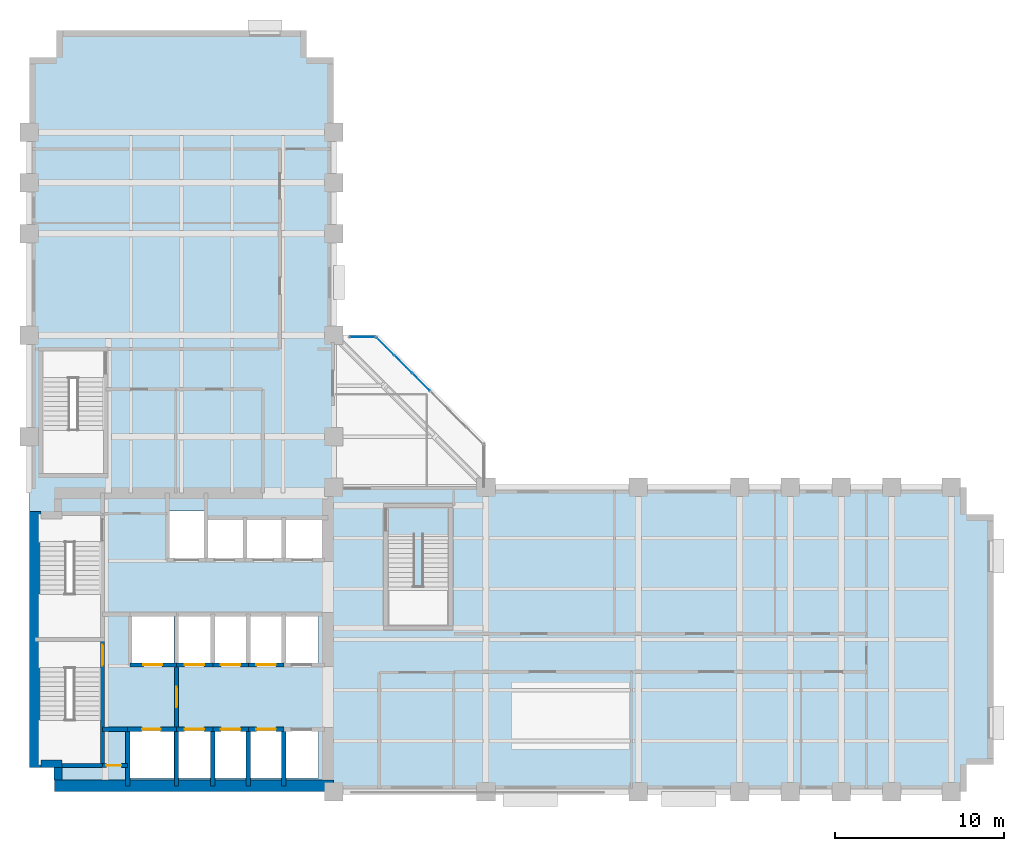
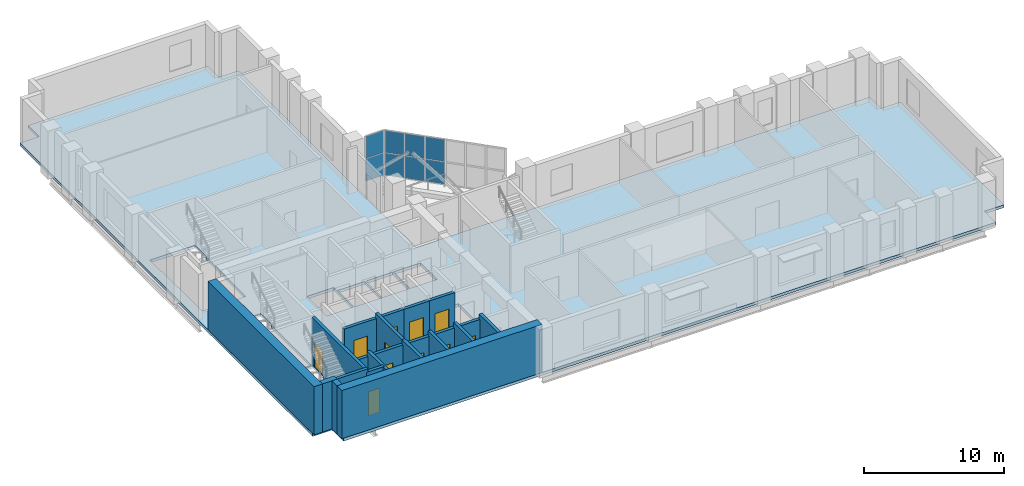
# One storey, part 4 of 10: 22 walls, 11 doors, 8 plates, 1 slab, 11 openings, 2 elements without a shape of their own.
"""IFC4 building model written with IfcOpenShell, lengths in metres."""

import ifcopenshell
import ifcopenshell.guid

model = None  # the IFC model being written
_history = None  # IfcOwnerHistory: only IFC2X3 demands one
_inside = {}  # id of a spatial element -> (the spatial element, [elements in it])
_under = {}  # id of a project, library or spatial element -> (it, [spatial elements below it])
_declared = {}  # id of a project -> (the project, [libraries it declares])
_typed = {}  # id of a type object -> (the type object, [elements of that type])
_made_of = {}  # id of a material, layer set ... -> (it, [elements and type objects made of it])


def new_model(schema):
    """Start an empty IFC model of exactly this schema.

    Asked for "IFC4X3", IfcOpenShell would pick the latest addendum, in which some entities
    have other attributes; the version numbers below select the first issue.
    IFC2X3 requires an IfcOwnerHistory on every rooted entity: one is made here for all.
    """
    global model, _history
    if schema == "IFC4X3":
        model = ifcopenshell.file(schema_version=(4, 3, 0, 0))
    else:
        model = ifcopenshell.file(schema=schema)
    _inside.clear()
    _under.clear()
    _declared.clear()
    _typed.clear()
    _made_of.clear()
    _history = None
    if model.schema == "IFC2X3":
        org = make("IfcOrganization", Name="unknown")
        user = make(
            "IfcPersonAndOrganization",
            ThePerson=make("IfcPerson", FamilyName="unknown"),
            TheOrganization=org,
        )
        app = make(
            "IfcApplication",
            ApplicationDeveloper=org,
            Version="unknown",
            ApplicationFullName="unknown",
            ApplicationIdentifier="unknown",
        )
        _history = make(
            "IfcOwnerHistory",
            OwningUser=user,
            OwningApplication=app,
            ChangeAction="ADDED",
            CreationDate=0,
        )
    return model


def make(cls, **values):
    """One entity of the class cls with the attributes given. An attribute that is None is left unset."""
    return model.create_entity(
        cls, **{name: value for name, value in values.items() if value is not None}
    )


def rooted(cls, **values):
    """An entity with a GlobalId (a new one), such as an element, a storey or a relation."""
    return make(cls, GlobalId=ifcopenshell.guid.new(), OwnerHistory=_history, **values)


def si_unit(unit_type, name, prefix=None):
    """IfcSIUnit, for example si_unit("LENGTHUNIT", "METRE", prefix="MILLI")."""
    return make("IfcSIUnit", UnitType=unit_type, Prefix=prefix, Name=name)


def assignment(units):
    """IfcUnitAssignment: the units of a project."""
    return None if units is None else make("IfcUnitAssignment", Units=units)


def point(xyz):
    """IfcCartesianPoint."""
    return None if xyz is None else make("IfcCartesianPoint", Coordinates=xyz)


def direction(xyz):
    """IfcDirection."""
    return None if xyz is None else make("IfcDirection", DirectionRatios=xyz)


def frame(location, z_axis=None, x_axis=None):
    """IfcAxis2Placement3D, a coordinate frame: its origin and axes. An axis left out is left unset."""
    return make(
        "IfcAxis2Placement3D",
        Location=point(location),
        Axis=direction(z_axis),
        RefDirection=direction(x_axis),
    )


def frame_2d(location, x_axis=None):
    """IfcAxis2Placement2D, a coordinate frame in the plane: its origin and x axis."""
    return make(
        "IfcAxis2Placement2D", Location=point(location), RefDirection=direction(x_axis)
    )


def origin():
    """The frame at (0, 0, 0) with its axes left unset."""
    return frame((0.0, 0.0, 0.0))


def origin_2d():
    """The frame at (0, 0) in the plane with its x axis left unset."""
    return frame_2d((0.0, 0.0))


def place(relative_to, where):
    """IfcLocalPlacement: puts the frame where relative to a parent placement (None: the world)."""
    return make(
        "IfcLocalPlacement", PlacementRelTo=relative_to, RelativePlacement=where
    )


def context(
    kind, dimensions, precision=None, world=None, true_north=None, identifier=None
):
    """IfcGeometricRepresentationContext, for example the 3D "Model" context."""
    return make(
        "IfcGeometricRepresentationContext",
        ContextIdentifier=identifier,
        ContextType=kind,
        CoordinateSpaceDimension=dimensions,
        Precision=precision,
        WorldCoordinateSystem=world,
        TrueNorth=true_north,
    )


def subcontext(parent, identifier, kind, view, scale=None):
    """IfcGeometricRepresentationSubContext, for example "Body" below "Model"."""
    return make(
        "IfcGeometricRepresentationSubContext",
        ContextIdentifier=identifier,
        ContextType=kind,
        ParentContext=parent,
        TargetScale=scale,
        TargetView=view,
    )


def project(units=None, contexts=None):
    """IfcProject with its units and contexts."""
    return rooted(
        "IfcProject",
        Name="project",
        RepresentationContexts=contexts,
        UnitsInContext=assignment(units),
    )


def spatial(cls, under=None, at=None, **own):
    """A site, building, storey or space (cls), placed at a placement, below another one or the project."""
    s = rooted(cls, ObjectPlacement=at, **own)
    if under is not None:
        _under.setdefault(under.id(), (under, []))[1].append(s)
    return s


def polyline(points):
    """IfcPolyline through the points."""
    return make("IfcPolyline", Points=[point(p) for p in points])


def profile(cls, at=None, kind="AREA", **sizes):
    """A parametric profile (cls). Its sizes go by their IFC names, for example OverallWidth=200.0."""
    return make(cls, ProfileType=kind, Position=at, **sizes)


def rectangle(**sizes):
    """IfcRectangleProfileDef."""
    return profile("IfcRectangleProfileDef", **sizes)


def outline(outer, holes=None, kind="AREA"):
    """IfcArbitraryClosedProfileDef: a profile drawn as a closed curve; with holes, ...WithVoids."""
    if holes is None:
        return make("IfcArbitraryClosedProfileDef", ProfileType=kind, OuterCurve=outer)
    return make(
        "IfcArbitraryProfileDefWithVoids",
        ProfileType=kind,
        OuterCurve=outer,
        InnerCurves=holes,
    )


def extrude(swept, where, along, depth):
    """IfcExtrudedAreaSolid: the profile swept, set in the frame where, extruded along a direction by depth."""
    return make(
        "IfcExtrudedAreaSolid",
        SweptArea=swept,
        Position=where,
        ExtrudedDirection=direction(along),
        Depth=depth,
    )


def shape(context_of_items, identifier, shape_type, items):
    """IfcShapeRepresentation: the items that make up one representation, for example the "Body"."""
    return make(
        "IfcShapeRepresentation",
        ContextOfItems=context_of_items,
        RepresentationIdentifier=identifier,
        RepresentationType=shape_type,
        Items=items,
    )


def material(Name=None, Category=None):
    """IfcMaterial."""
    return make("IfcMaterial", Name=Name, Category=Category)


def layer(
    of_material, thickness, ventilated=None, Name=None, Category=None, Priority=None
):
    """IfcMaterialLayer: one layer of a wall or slab, of a material (None: an air gap)."""
    return make(
        "IfcMaterialLayer",
        Material=of_material,
        LayerThickness=thickness,
        IsVentilated=ventilated,
        Name=Name,
        Category=Category,
        Priority=Priority,
    )


def layer_set(layers, Name=None):
    """IfcMaterialLayerSet."""
    return make("IfcMaterialLayerSet", MaterialLayers=layers, LayerSetName=Name)


def made_of(thing, what):
    """Note that an element or type object is made of a material, layer set ...; save() writes the relation."""
    if what is not None:
        _made_of.setdefault(what.id(), (what, []))[1].append(thing)
    return thing


def type_object(cls, material=None, **own):
    """A type object (cls), such as IfcWallType, which elements share."""
    return made_of(rooted(cls, **own), material)


def element(
    cls,
    number,
    at=None,
    inside=None,
    cuts=None,
    type_object=None,
    material=None,
    context=None,
    identifier="Body",
    shape_type=None,
    held_by="IfcProductDefinitionShape",
    body=None,
    shapes=None,
    **own,
):
    """One element of the class cls, such as IfcWall. Its Tag is "e" and its number.

    at: its placement. inside: the storey or other place that contains it. cuts: it is an
    opening in that element (IfcRelVoidsElement). A single representation is given by context,
    identifier, shape_type and body (its items); several are given by shapes. held_by: the class
    of the entity that holds the representations. save() writes the other relations.
    """
    e = rooted(cls, Tag="e%d" % number, ObjectPlacement=at, **own)
    if body is not None:
        shapes = [shape(context, identifier, shape_type, body)]
    if shapes is not None:
        e.Representation = make(held_by, Representations=shapes)
    if inside is not None:
        _inside.setdefault(inside.id(), (inside, []))[1].append(e)
    if cuts is not None:
        rooted(
            "IfcRelVoidsElement", RelatingBuildingElement=cuts, RelatedOpeningElement=e
        )
    if type_object is not None:
        _typed.setdefault(type_object.id(), (type_object, []))[1].append(e)
    return made_of(e, material)


def fill(opening, filler):
    """IfcRelFillsElement: the door or window that sits in an opening."""
    return rooted(
        "IfcRelFillsElement",
        RelatingOpeningElement=opening,
        RelatedBuildingElement=filler,
    )


def aggregate(whole, parts):
    """IfcRelAggregates: a whole, such as a stair, and the parts it consists of."""
    return rooted("IfcRelAggregates", RelatingObject=whole, RelatedObjects=parts)


def save(model, path):
    """Write the relations noted so far, then the file.

    IfcRelAggregates (storeys below a building ...), IfcRelContainedInSpatialStructure (elements
    in a storey), IfcRelDefinesByType, IfcRelAssociatesMaterial and IfcRelDeclares: one each for
    every whole, place, type object, material and project.
    """
    for whole, parts in _under.values():
        aggregate(whole, parts)
    for where, things in _inside.values():
        rooted(
            "IfcRelContainedInSpatialStructure",
            RelatedElements=things,
            RelatingStructure=where,
        )
    for kind, things in _typed.values():
        rooted("IfcRelDefinesByType", RelatedObjects=things, RelatingType=kind)
    for what, things in _made_of.values():
        rooted("IfcRelAssociatesMaterial", RelatedObjects=things, RelatingMaterial=what)
    for by, libraries in _declared.values():
        rooted("IfcRelDeclares", RelatingContext=by, RelatedDefinitions=libraries)
    model.write(path)


model = new_model("IFC4")

# Units and contexts
model_context = context("Model", 3, precision=1e-05, world=origin(), true_north=direction((0.0, 1.0)))
body_context = subcontext(model_context, "Body", "Model", "MODEL_VIEW")
ifc_project = project(units=[si_unit("LENGTHUNIT", "METRE"), si_unit("AREAUNIT", "SQUARE_METRE"), si_unit("VOLUMEUNIT", "CUBIC_METRE"), si_unit("PLANEANGLEUNIT", "RADIAN"), si_unit("MASSUNIT", "GRAM", prefix="KILO")], contexts=[model_context])

# Site, building, storey
site_placement = place(None, origin())
site = spatial("IfcSite", under=ifc_project, at=site_placement, CompositionType="ELEMENT")
building_placement = place(site_placement, origin())
building = spatial("IfcBuilding", under=site, at=building_placement, Name="Mawjdan Bourse Tower", CompositionType="ELEMENT")
storey_placement = place(building_placement, frame((0.0, 0.0, 89.10009765625)))
storey = spatial("IfcBuildingStorey", under=building, at=storey_placement, Name="L20", CompositionType="ELEMENT", Elevation=89.10009765625)

# Curtain wall, plates
ifc_material_1 = material(Name="Thermally Broken Aluminium and Solar Glass", Category="aluminium")
ifc_layer_1 = layer(ifc_material_1, 0.219970703125)
ifc_layer_set_1 = layer_set([ifc_layer_1], Name="Thermally Broken Aluminium and Solar Glass")
curtain_wall_type = type_object("IfcCurtainWallType", Name="CW-BRG", PredefinedType="USERDEFINED", material=ifc_layer_set_1)
curtain_wall_1_placement = place(storey_placement, origin())
curtain_wall_1 = element("IfcCurtainWall", 1, at=curtain_wall_1_placement, inside=storey, type_object=curtain_wall_type, Name="L20 Atrium Sky Bridge Diagonal Curtain Wall", ObjectType="SKY BRIDGE CURTAIN WALL", PredefinedType="USERDEFINED")
ifc_material_2 = material(Name="Acoustic Laminated Sky-Bridge Glass", Category="glass")
ifc_layer_2 = layer(ifc_material_2, 0.033935546875)
ifc_layer_set_2 = layer_set([ifc_layer_2], Name="Acoustic Laminated Sky-Bridge Glass")
plate_type = type_object("IfcPlateType", Name="PNL-CW-BRG", PredefinedType="CURTAIN_PANEL", material=ifc_layer_set_2)
plate_1_placement = place(storey_placement, frame((29.158447265625, 27.2216796875, 0.054931640625), z_axis=(0.0, 0.0, 1.0), x_axis=(-0.707106781187, 0.707106781187, 0.0)))
plate_1 = element("IfcPlate", 2, at=plate_1_placement, type_object=plate_type, Name="CW-BRG-L20-BRG-DIAG panel 4.1", PredefinedType="CURTAIN_PANEL", context=body_context, shape_type="SweptSolid", body=[
    extrude(rectangle(XDim=1.438720703125, YDim=0.033935546875, at=origin_2d()), origin(), (0.0, 0.0, 1.0), 1.91748046875),
])
plate_2_placement = place(storey_placement, frame((29.158447265625, 27.2216796875, 2.02734375), z_axis=(0.0, 0.0, 1.0), x_axis=(-0.707106781187, 0.707106781187, 0.0)))
plate_2 = element("IfcPlate", 3, at=plate_2_placement, type_object=plate_type, Name="CW-BRG-L20-BRG-DIAG panel 4.2", PredefinedType="CURTAIN_PANEL", context=body_context, shape_type="SweptSolid", body=[
    extrude(rectangle(XDim=1.438720703125, YDim=0.033935546875, at=origin_2d()), origin(), (0.0, 0.0, 1.0), 1.91748046875),
])
plate_3_placement = place(storey_placement, frame((28.094970703125, 28.284912109375, 0.054931640625), z_axis=(0.0, 0.0, 1.0), x_axis=(-0.707106781187, 0.707106781187, 0.0)))
plate_3 = element("IfcPlate", 4, at=plate_3_placement, type_object=plate_type, Name="CW-BRG-L20-BRG-DIAG panel 5.1", PredefinedType="CURTAIN_PANEL", context=body_context, shape_type="SweptSolid", body=[
    extrude(rectangle(XDim=1.438720703125, YDim=0.033935546875, at=origin_2d()), origin(), (0.0, 0.0, 1.0), 1.91748046875),
])
plate_4_placement = place(storey_placement, frame((28.094970703125, 28.284912109375, 2.02734375), z_axis=(0.0, 0.0, 1.0), x_axis=(-0.707106781187, 0.707106781187, 0.0)))
plate_4 = element("IfcPlate", 5, at=plate_4_placement, type_object=plate_type, Name="CW-BRG-L20-BRG-DIAG panel 5.2", PredefinedType="CURTAIN_PANEL", context=body_context, shape_type="SweptSolid", body=[
    extrude(rectangle(XDim=1.438720703125, YDim=0.033935546875, at=origin_2d()), origin(), (0.0, 0.0, 1.0), 1.91748046875),
])
plate_5_placement = place(storey_placement, frame((27.043212890625, 29.3369140625, 0.054931640625), z_axis=(0.0, 0.0, 1.0), x_axis=(-0.707106781187, 0.707106781187, 0.0)))
plate_5 = element("IfcPlate", 6, at=plate_5_placement, type_object=plate_type, Name="CW-BRG-L20-BRG-DIAG panel 6.1", PredefinedType="CURTAIN_PANEL", context=body_context, shape_type="SweptSolid", body=[
    extrude(rectangle(XDim=1.40625, YDim=0.033935546875, at=origin_2d()), origin(), (0.0, 0.0, 1.0), 1.91748046875),
])
plate_6_placement = place(storey_placement, frame((27.043212890625, 29.3369140625, 2.02734375), z_axis=(0.0, 0.0, 1.0), x_axis=(-0.707106781187, 0.707106781187, 0.0)))
plate_6 = element("IfcPlate", 7, at=plate_6_placement, type_object=plate_type, Name="CW-BRG-L20-BRG-DIAG panel 6.2", PredefinedType="CURTAIN_PANEL", context=body_context, shape_type="SweptSolid", body=[
    extrude(rectangle(XDim=1.40625, YDim=0.033935546875, at=origin_2d()), origin(), (0.0, 0.0, 1.0), 1.91748046875),
])
aggregate(curtain_wall_1, [plate_1, plate_2, plate_3, plate_4, plate_5, plate_6])

curtain_wall_2_placement = place(storey_placement, origin())
curtain_wall_2 = element("IfcCurtainWall", 8, at=curtain_wall_2_placement, inside=storey, type_object=curtain_wall_type, Name="L20 Atrium Sky Bridge North Return Curtain Wall", ObjectType="SKY BRIDGE CURTAIN WALL", PredefinedType="USERDEFINED")
plate_7_placement = place(storey_placement, frame((25.699951171875, 29.8798828125, 0.054931640625), z_axis=(0.0, 0.0, 1.0), x_axis=(-1.0, 0.0, 0.0)))
plate_7 = element("IfcPlate", 9, at=plate_7_placement, type_object=plate_type, Name="CW-BRG-L20-BRG-N panel 1.1", PredefinedType="CURTAIN_PANEL", context=body_context, shape_type="SweptSolid", body=[
    extrude(rectangle(XDim=1.469970703125, YDim=0.033935546875, at=origin_2d()), origin(), (0.0, 0.0, 1.0), 1.91748046875),
])
plate_8_placement = place(storey_placement, frame((25.699951171875, 29.8798828125, 2.02734375), z_axis=(0.0, 0.0, 1.0), x_axis=(-1.0, 0.0, 0.0)))
plate_8 = element("IfcPlate", 10, at=plate_8_placement, type_object=plate_type, Name="CW-BRG-L20-BRG-N panel 1.2", PredefinedType="CURTAIN_PANEL", context=body_context, shape_type="SweptSolid", body=[
    extrude(rectangle(XDim=1.469970703125, YDim=0.033935546875, at=origin_2d()), origin(), (0.0, 0.0, 1.0), 1.91748046875),
])
aggregate(curtain_wall_2, [plate_7, plate_8])

# Slab
ifc_material_3 = material(Name="Concrete C50/60", Category="concrete")
ifc_layer_3 = layer(ifc_material_3, 0.25)
ifc_layer_set_3 = layer_set([ifc_layer_3], Name="Concrete C50/60")
slab_type = type_object("IfcSlabType", Name="SL-SKY-250", PredefinedType="FLOOR", material=ifc_layer_set_3)
slab_placement = place(storey_placement, frame((0.0, 0.0, -0.25)))
element("IfcSlab", 11, at=slab_placement, inside=storey, type_object=slab_type, Name="L20 Structural Floor Slab 1", PredefinedType="FLOOR", context=body_context, shape_type="SweptSolid", body=[
    extrude(outline(polyline([(7.60009765625, 3.0), (61.39990234375, 3.0), (61.39990234375, 4.60009765625), (63.0, 4.60009765625), (63.0, 19.39990234375), (61.39990234375, 19.39990234375), (61.39990234375, 21.0), (24.0, 21.0), (24.0, 46.39990234375), (22.39990234375, 46.39990234375), (22.39990234375, 48.0), (7.60009765625, 48.0), (7.60009765625, 46.39990234375), (6.0, 46.39990234375), (6.0, 4.60009765625), (7.60009765625, 4.60009765625), (7.60009765625, 3.0)]), holes=[polyline([(11.949951171875, 3.800048828125), (11.949951171875, 6.60009765625), (14.550048828125, 6.60009765625), (14.550048828125, 3.800048828125), (11.949951171875, 3.800048828125)]), polyline([(14.800048828125, 3.800048828125), (14.800048828125, 6.60009765625), (16.800048828125, 6.60009765625), (16.800048828125, 3.800048828125), (14.800048828125, 3.800048828125)]), polyline([(10.260009765625, 11.969970703125), (10.260009765625, 10.31005859375), (10.199951171875, 10.31005859375), (10.199951171875, 4.64990234375), (6.60009765625, 4.64990234375), (6.60009765625, 10.31005859375), (6.5400390625, 10.31005859375), (6.5400390625, 11.969970703125), (10.260009765625, 11.969970703125)]), polyline([(12.050048828125, 13.39990234375), (14.550048828125, 13.39990234375), (14.550048828125, 10.60009765625), (12.050048828125, 10.60009765625), (12.050048828125, 13.39990234375)]), polyline([(6.60009765625, 17.75), (6.5400390625, 17.75), (6.5400390625, 19.409912109375), (10.260009765625, 19.409912109375), (10.260009765625, 17.75), (10.199951171875, 17.75), (10.199951171875, 12.090087890625), (6.60009765625, 12.090087890625), (6.60009765625, 17.75)]), polyline([(14.199951171875, 16.800048828125), (14.199951171875, 19.60009765625), (16.39990234375, 19.60009765625), (16.39990234375, 16.800048828125), (14.199951171875, 16.800048828125)]), polyline([(10.4599609375, 27.4599609375), (10.39990234375, 27.4599609375), (10.39990234375, 21.800048828125), (6.800048828125, 21.800048828125), (6.800048828125, 27.4599609375), (6.739990234375, 27.4599609375), (6.739990234375, 29.1201171875), (10.4599609375, 29.1201171875), (10.4599609375, 27.4599609375)]), polyline([(16.89990234375, 3.800048828125), (16.89990234375, 6.60009765625), (18.89990234375, 6.60009765625), (18.89990234375, 3.800048828125), (16.89990234375, 3.800048828125)]), polyline([(19.0, 3.800048828125), (19.0, 6.60009765625), (21.0, 6.60009765625), (21.0, 3.800048828125), (19.0, 3.800048828125)]), polyline([(21.10009765625, 3.800048828125), (21.10009765625, 6.60009765625), (23.10009765625, 6.60009765625), (23.10009765625, 3.800048828125), (21.10009765625, 3.800048828125)]), polyline([(14.800048828125, 13.39990234375), (16.800048828125, 13.39990234375), (16.800048828125, 10.60009765625), (14.800048828125, 10.60009765625), (14.800048828125, 13.39990234375)]), polyline([(16.89990234375, 13.39990234375), (18.89990234375, 13.39990234375), (18.89990234375, 10.60009765625), (16.89990234375, 10.60009765625), (16.89990234375, 13.39990234375)]), polyline([(19.0, 10.60009765625), (19.0, 13.39990234375), (21.0, 13.39990234375), (21.0, 10.60009765625), (19.0, 10.60009765625)]), polyline([(21.10009765625, 10.60009765625), (21.10009765625, 13.39990234375), (23.10009765625, 13.39990234375), (23.10009765625, 10.60009765625), (21.10009765625, 10.60009765625)]), polyline([(16.5, 16.800048828125), (16.5, 19.14990234375), (18.699951171875, 19.14990234375), (18.699951171875, 16.800048828125), (16.5, 16.800048828125)]), polyline([(18.800048828125, 19.14990234375), (21.0, 19.14990234375), (21.0, 16.800048828125), (18.800048828125, 16.800048828125), (18.800048828125, 19.14990234375)]), polyline([(21.10009765625, 19.14990234375), (23.300048828125, 19.14990234375), (23.300048828125, 16.800048828125), (21.10009765625, 16.800048828125), (21.10009765625, 19.14990234375)])]), origin(), (0.0, 0.0, 1.0), 0.25),
])

# Walls
ifc_material_4 = material(Name="Concrete C60/75", Category="concrete")
ifc_layer_4 = layer(ifc_material_4, 0.449951171875)
ifc_layer_set_4 = layer_set([ifc_layer_4], Name="Concrete C60/75")
wall_type_1 = type_object("IfcWallType", Name="WL-CORE-450", PredefinedType="SHEAR", material=ifc_layer_set_4)
wall_1_placement = place(storey_placement, frame((6.699951171875, 4.64990234375, 0.0), z_axis=(0.0, 0.0, 1.0), x_axis=(1.0, 0.0, 0.0)))
element("IfcWall", 12, at=wall_1_placement, inside=storey, type_object=wall_type_1, Name="L20 Rear Core Shear Wall SW-X", PredefinedType="SHEAR", context=body_context, shape_type="SweptSolid", body=[
    extrude(rectangle(XDim=1.22509765625, YDim=0.449951171875, at=frame_2d((0.612548828125, 0.0))), origin(), (0.0, 0.0, 1.0), 4.199951171875),
])
wall_2_placement = place(storey_placement, frame((7.699951171875, 3.699951171875, 0.0), z_axis=(0.0, 0.0, 1.0), x_axis=(0.0, 1.0, 0.0)))
element("IfcWall", 13, at=wall_2_placement, inside=storey, type_object=wall_type_1, Name="L20 Rear Core Shear Wall SW-Y", PredefinedType="SHEAR", context=body_context, shape_type="SweptSolid", body=[
    extrude(rectangle(XDim=0.72509765625, YDim=0.449951171875, at=frame_2d((0.362548828125, 0.0))), origin(), (0.0, 0.0, 1.0), 4.199951171875),
])
ifc_material_5 = material(Name="Concrete C70/85", Category="concrete")
ifc_layer_5 = layer(ifc_material_5, 0.699951171875)
ifc_layer_set_5 = layer_set([ifc_layer_5], Name="Concrete C70/85")
wall_type_2 = type_object("IfcWallType", Name="WL-CORE-700", PredefinedType="SHEAR", material=ifc_layer_set_5)
wall_3_placement = place(storey_placement, frame((7.47509765625, 3.35009765625, 0.0), z_axis=(0.0, 0.0, 1.0), x_axis=(1.0, 0.0, 0.0)))
element("IfcWall", 14, at=wall_3_placement, inside=storey, type_object=wall_type_2, Name="L20 Rear Core Shear Wall S", PredefinedType="SHEAR", context=body_context, shape_type="SweptSolid", body=[
    extrude(rectangle(XDim=16.52490234375, YDim=0.699951171875, at=frame_2d((8.262451171875, 0.0))), origin(), (0.0, 0.0, 1.0), 4.199951171875),
])
wall_4_placement = place(storey_placement, frame((6.35009765625, 4.425048828125, 0.0), z_axis=(0.0, 0.0, 1.0), x_axis=(0.0, 1.0, 0.0)))
element("IfcWall", 15, at=wall_4_placement, inside=storey, type_object=wall_type_2, Name="L20 Rear Core Shear Wall W", PredefinedType="SHEAR", context=body_context, shape_type="SweptSolid", body=[
    extrude(rectangle(XDim=15.14990234375, YDim=0.699951171875, at=frame_2d((7.574951171875, 0.0))), origin(), (0.0, 0.0, 1.0), 4.199951171875),
])

# Wall, opening, door
ifc_layer_6 = layer(ifc_material_3, 0.25)
ifc_layer_set_6 = layer_set([ifc_layer_6], Name="Concrete C50/60")
wall_type_3 = type_object("IfcWallType", Name="WL-SHFT-250", PredefinedType="PARTITIONING", material=ifc_layer_set_6)
wall_5_placement = place(storey_placement, frame((10.330078125, 4.550048828125, 0.0), z_axis=(0.0, 0.0, 1.0), x_axis=(1.0, 0.0, 0.0)))
wall_5 = element("IfcWall", 16, at=wall_5_placement, inside=storey, type_object=wall_type_3, Name="L20 SW Riser North Wall", PredefinedType="PARTITIONING", context=body_context, shape_type="SweptSolid", body=[
    extrude(rectangle(XDim=1.489990234375, YDim=0.25, at=frame_2d((0.7451171875, 0.0))), origin(), (0.0, 0.0, 1.0), 3.929931640625),
])
opening_1_placement = place(wall_5_placement, frame((0.219970703125, 0.0, 0.0)))
opening_1 = element("IfcOpeningElement", 17, at=opening_1_placement, cuts=wall_5, Name="Opening RD-L20-03", PredefinedType="OPENING", context=body_context, shape_type="SweptSolid", body=[
    extrude(rectangle(XDim=0.89990234375, YDim=2.10009765625, at=frame_2d((0.449951171875, 1.050048828125))), frame((0.0, 0.135009765625, 0.0), z_axis=(0.0, -1.0, 0.0), x_axis=(1.0, 0.0, 0.0)), (0.0, 0.0, 1.0), 0.27001953125),
])
ifc_material_6 = material(Name="Fire-Rated Steel Access Leaf", Category="steel")
door_type_1 = type_object("IfcDoorType", Name="FD-RSR-0900", OperationType="NOTDEFINED", PredefinedType="TRAPDOOR", material=ifc_material_6)
door_1_placement = place(opening_1_placement, origin())
door_1 = element("IfcDoor", 18, at=door_1_placement, inside=storey, type_object=door_type_1, Name="L20 Electrical Riser Access Door RD-L20-03", OperationType="SINGLE_SWING_LEFT", OverallHeight=2.10009765625, OverallWidth=0.89990234375, PredefinedType="TRAPDOOR", context=body_context, shape_type="SweptSolid", body=[
    extrude(rectangle(XDim=0.89990234375, YDim=2.10009765625, at=frame_2d((0.449951171875, 1.050048828125))), frame((0.0, 0.02490234375, 0.0), z_axis=(0.0, -1.0, 0.0), x_axis=(1.0, 0.0, 0.0)), (0.0, 0.0, 1.0), 0.050048828125),
])
fill(opening_1, door_1)

# Wall
wall_6_placement = place(storey_placement, frame((11.820068359375, 3.35009765625, 0.0), z_axis=(0.0, 0.0, 1.0), x_axis=(0.0, 1.0, 0.0)))
element("IfcWall", 19, at=wall_6_placement, inside=storey, type_object=wall_type_3, Name="L20 SW Riser & FFL01 West Wall", PredefinedType="PARTITIONING", context=body_context, shape_type="SweptSolid", body=[
    extrude(rectangle(XDim=3.349853515625, YDim=0.25, at=frame_2d((1.6748046875, 0.0))), origin(), (0.0, 0.0, 1.0), 3.929931640625),
])

# Wall, opening, door
wall_7_placement = place(storey_placement, frame((11.820068359375, 6.699951171875, 0.0), z_axis=(0.0, 0.0, 1.0), x_axis=(1.0, 0.0, 0.0)))
wall_7 = element("IfcWall", 20, at=wall_7_placement, inside=storey, type_object=wall_type_3, Name="L20 FFL-01 Front Shaft Wall", PredefinedType="PARTITIONING", context=body_context, shape_type="SweptSolid", body=[
    extrude(rectangle(XDim=2.8798828125, YDim=0.25, at=frame_2d((1.43994140625, 0.0))), origin(), (0.0, 0.0, 1.0), 3.52685546875),
])
opening_2_placement = place(wall_7_placement, frame((0.85009765625, 0.0, 0.0)))
opening_2 = element("IfcOpeningElement", 21, at=opening_2_placement, cuts=wall_7, Name="Opening LD-L20-05", PredefinedType="OPENING", context=body_context, shape_type="SweptSolid", body=[
    extrude(rectangle(XDim=1.10009765625, YDim=2.25, at=frame_2d((0.550048828125, 1.125))), frame((0.0, 0.135009765625, 0.0), z_axis=(0.0, -1.0, 0.0), x_axis=(1.0, 0.0, 0.0)), (0.0, 0.0, 1.0), 0.27001953125),
])
ifc_material_7 = material(Name="Brushed Stainless Steel", Category="steel")
door_type_2 = type_object("IfcDoorType", Name="LD-FFL-1100", OperationType="DOUBLE_DOOR_SLIDING", PredefinedType="DOOR", material=ifc_material_7)
door_2_placement = place(opening_2_placement, origin())
door_2 = element("IfcDoor", 22, at=door_2_placement, inside=storey, type_object=door_type_2, Name="L20 Firefighting Lift FFL-01 Landing Door LD-L20-05", OperationType="DOUBLE_DOOR_SLIDING", OverallHeight=2.25, OverallWidth=1.10009765625, PredefinedType="DOOR", context=body_context, shape_type="SweptSolid", body=[
    extrude(rectangle(XDim=1.10009765625, YDim=2.25, at=frame_2d((0.550048828125, 1.125))), frame((0.0, 0.02490234375, 0.0), z_axis=(0.0, -1.0, 0.0), x_axis=(1.0, 0.0, 0.0)), (0.0, 0.0, 1.0), 0.050048828125),
])
fill(opening_2, door_2)

# Wall
wall_8_placement = place(storey_placement, frame((14.699951171875, 3.35009765625, 0.0), z_axis=(0.0, 0.0, 1.0), x_axis=(0.0, 1.0, 0.0)))
element("IfcWall", 23, at=wall_8_placement, inside=storey, type_object=wall_type_3, Name="L20 FFL-01 East Shaft Wall", PredefinedType="PARTITIONING", context=body_context, shape_type="SweptSolid", body=[
    extrude(rectangle(XDim=3.349853515625, YDim=0.25, at=frame_2d((1.6748046875, 0.0))), origin(), (0.0, 0.0, 1.0), 3.929931640625),
])

# Wall, opening, door
wall_9_placement = place(storey_placement, frame((11.949951171875, 10.5, 0.0), z_axis=(0.0, 0.0, 1.0), x_axis=(1.0, 0.0, 0.0)))
wall_9 = element("IfcWall", 24, at=wall_9_placement, inside=storey, type_object=wall_type_3, Name="L20 FFL-02 Front Shaft Wall", PredefinedType="PARTITIONING", context=body_context, shape_type="SweptSolid", body=[
    extrude(rectangle(XDim=2.75, YDim=0.25, at=frame_2d((1.375, 0.0))), origin(), (0.0, 0.0, 1.0), 3.52685546875),
])
opening_3_placement = place(wall_9_placement, frame((0.800048828125, 0.0, 0.0)))
opening_3 = element("IfcOpeningElement", 25, at=opening_3_placement, cuts=wall_9, Name="Opening LD-L20-06", PredefinedType="OPENING", context=body_context, shape_type="SweptSolid", body=[
    extrude(rectangle(XDim=1.10009765625, YDim=2.25, at=frame_2d((0.550048828125, 1.125))), frame((0.0, 0.135009765625, 0.0), z_axis=(0.0, -1.0, 0.0), x_axis=(1.0, 0.0, 0.0)), (0.0, 0.0, 1.0), 0.27001953125),
])
door_3_placement = place(opening_3_placement, origin())
door_3 = element("IfcDoor", 26, at=door_3_placement, inside=storey, type_object=door_type_2, Name="L20 Firefighting Lift FFL-02 Landing Door LD-L20-06", OperationType="DOUBLE_DOOR_SLIDING", OverallHeight=2.25, OverallWidth=1.10009765625, PredefinedType="DOOR", context=body_context, shape_type="SweptSolid", body=[
    extrude(rectangle(XDim=1.10009765625, YDim=2.25, at=frame_2d((0.550048828125, 1.125))), frame((0.0, 0.02490234375, 0.0), z_axis=(0.0, -1.0, 0.0), x_axis=(1.0, 0.0, 0.0)), (0.0, 0.0, 1.0), 0.050048828125),
])
fill(opening_3, door_3)

wall_10_placement = place(storey_placement, frame((14.699951171875, 6.699951171875, 0.0), z_axis=(0.0, 0.0, 1.0), x_axis=(0.0, 1.0, 0.0)))
wall_10 = element("IfcWall", 27, at=wall_10_placement, inside=storey, type_object=wall_type_3, Name="L20 Firefighting Lobby East Compartment Wall", PredefinedType="PARTITIONING", context=body_context, shape_type="SweptSolid", body=[
    extrude(rectangle(XDim=3.800048828125, YDim=0.25, at=frame_2d((1.89990234375, 0.0))), origin(), (0.0, 0.0, 1.0), 3.929931640625),
])
opening_4_placement = place(wall_10_placement, frame((1.300048828125, 0.0, 0.0)))
opening_4 = element("IfcOpeningElement", 28, at=opening_4_placement, cuts=wall_10, Name="Opening FD-L20-07", PredefinedType="OPENING", context=body_context, shape_type="SweptSolid", body=[
    extrude(rectangle(XDim=1.199951171875, YDim=2.199951171875, at=frame_2d((0.60009765625, 1.10009765625))), frame((0.0, 0.135009765625, 0.0), z_axis=(0.0, -1.0, 0.0), x_axis=(1.0, 0.0, 0.0)), (0.0, 0.0, 1.0), 0.27001953125),
])
ifc_material_8 = material(Name="Fire-Rated Steel Leaf", Category="steel")
door_type_3 = type_object("IfcDoorType", Name="FD-FFL-1200", OperationType="NOTDEFINED", PredefinedType="DOOR", material=ifc_material_8)
door_4_placement = place(opening_4_placement, origin())
door_4 = element("IfcDoor", 29, at=door_4_placement, inside=storey, type_object=door_type_3, Name="L20 Firefighting Lobby East Smoke Door FD-L20-07", OperationType="SINGLE_SWING_LEFT", OverallHeight=2.199951171875, OverallWidth=1.199951171875, PredefinedType="DOOR", context=body_context, shape_type="SweptSolid", body=[
    extrude(rectangle(XDim=1.199951171875, YDim=2.199951171875, at=frame_2d((0.60009765625, 1.10009765625))), frame((0.0, 0.02490234375, 0.0), z_axis=(0.0, -1.0, 0.0), x_axis=(1.0, 0.0, 0.0)), (0.0, 0.0, 1.0), 0.050048828125),
])
fill(opening_4, door_4)

# Wall
wall_11_placement = place(storey_placement, frame((10.330078125, 6.699951171875, 0.0), z_axis=(0.0, 0.0, 1.0), x_axis=(1.0, 0.0, 0.0)))
element("IfcWall", 30, at=wall_11_placement, inside=storey, type_object=wall_type_3, Name="L20 Firefighting Lobby South Closure Wall", PredefinedType="PARTITIONING", context=body_context, shape_type="SweptSolid", body=[
    extrude(rectangle(XDim=1.489990234375, YDim=0.25, at=frame_2d((0.7451171875, 0.0))), origin(), (0.0, 0.0, 1.0), 3.52685546875),
])

# Wall, opening, door
wall_12_placement = place(storey_placement, frame((14.699951171875, 6.699951171875, 0.0), z_axis=(0.0, 0.0, 1.0), x_axis=(1.0, 0.0, 0.0)))
wall_12 = element("IfcWall", 31, at=wall_12_placement, inside=storey, type_object=wall_type_3, Name="L20 PL-04 Front Wall", PredefinedType="PARTITIONING", context=body_context, shape_type="SweptSolid", body=[
    extrude(rectangle(XDim=2.150146484375, YDim=0.25, at=frame_2d((1.0751953125, 0.0))), origin(), (0.0, 0.0, 1.0), 3.52685546875),
])
opening_5_placement = place(wall_12_placement, frame((0.47998046875, 0.0, 0.0)))
opening_5 = element("IfcOpeningElement", 32, at=opening_5_placement, cuts=wall_12, Name="Opening LD-L20-13", PredefinedType="OPENING", context=body_context, shape_type="SweptSolid", body=[
    extrude(rectangle(XDim=1.14990234375, YDim=2.25, at=frame_2d((0.574951171875, 1.125))), frame((0.0, 0.135009765625, 0.0), z_axis=(0.0, -1.0, 0.0), x_axis=(1.0, 0.0, 0.0)), (0.0, 0.0, 1.0), 0.27001953125),
])
door_type_4 = type_object("IfcDoorType", Name="LD-PAS-1150", OperationType="DOUBLE_DOOR_SLIDING", PredefinedType="DOOR", material=ifc_material_7)
door_5_placement = place(opening_5_placement, origin())
door_5 = element("IfcDoor", 33, at=door_5_placement, inside=storey, type_object=door_type_4, Name="L20 Lift PL-04 Landing Door LD-L20-13", OperationType="DOUBLE_DOOR_SLIDING", OverallHeight=2.25, OverallWidth=1.14990234375, PredefinedType="DOOR", context=body_context, shape_type="SweptSolid", body=[
    extrude(rectangle(XDim=1.14990234375, YDim=2.25, at=frame_2d((0.574951171875, 1.125))), frame((0.0, 0.02490234375, 0.0), z_axis=(0.0, -1.0, 0.0), x_axis=(1.0, 0.0, 0.0)), (0.0, 0.0, 1.0), 0.050048828125),
])
fill(opening_5, door_5)

# Wall
wall_13_placement = place(storey_placement, frame((16.85009765625, 3.35009765625, 0.0), z_axis=(0.0, 0.0, 1.0), x_axis=(0.0, 1.0, 0.0)))
element("IfcWall", 34, at=wall_13_placement, inside=storey, type_object=wall_type_3, Name="L20 PL-04 Divider Wall", PredefinedType="PARTITIONING", context=body_context, shape_type="SweptSolid", body=[
    extrude(rectangle(XDim=3.349853515625, YDim=0.25, at=frame_2d((1.6748046875, 0.0))), origin(), (0.0, 0.0, 1.0), 3.929931640625),
])

# Wall, opening, door
wall_14_placement = place(storey_placement, frame((16.85009765625, 6.699951171875, 0.0), z_axis=(0.0, 0.0, 1.0), x_axis=(1.0, 0.0, 0.0)))
wall_14 = element("IfcWall", 35, at=wall_14_placement, inside=storey, type_object=wall_type_3, Name="L20 PL-01 Front Wall", PredefinedType="PARTITIONING", context=body_context, shape_type="SweptSolid", body=[
    extrude(rectangle(XDim=2.099853515625, YDim=0.25, at=frame_2d((1.0498046875, 0.0))), origin(), (0.0, 0.0, 1.0), 3.52685546875),
])
opening_6_placement = place(wall_14_placement, frame((0.47998046875, 0.0, 0.0)))
opening_6 = element("IfcOpeningElement", 36, at=opening_6_placement, cuts=wall_14, Name="Opening LD-L20-14", PredefinedType="OPENING", context=body_context, shape_type="SweptSolid", body=[
    extrude(rectangle(XDim=1.14990234375, YDim=2.25, at=frame_2d((0.574951171875, 1.125))), frame((0.0, 0.135009765625, 0.0), z_axis=(0.0, -1.0, 0.0), x_axis=(1.0, 0.0, 0.0)), (0.0, 0.0, 1.0), 0.27001953125),
])
door_6_placement = place(opening_6_placement, origin())
door_6 = element("IfcDoor", 37, at=door_6_placement, inside=storey, type_object=door_type_4, Name="L20 Lift PL-01 Landing Door LD-L20-14", OperationType="DOUBLE_DOOR_SLIDING", OverallHeight=2.25, OverallWidth=1.14990234375, PredefinedType="DOOR", context=body_context, shape_type="SweptSolid", body=[
    extrude(rectangle(XDim=1.14990234375, YDim=2.25, at=frame_2d((0.574951171875, 1.125))), frame((0.0, 0.02490234375, 0.0), z_axis=(0.0, -1.0, 0.0), x_axis=(1.0, 0.0, 0.0)), (0.0, 0.0, 1.0), 0.050048828125),
])
fill(opening_6, door_6)

# Wall
wall_15_placement = place(storey_placement, frame((18.949951171875, 3.35009765625, 0.0), z_axis=(0.0, 0.0, 1.0), x_axis=(0.0, 1.0, 0.0)))
element("IfcWall", 38, at=wall_15_placement, inside=storey, type_object=wall_type_3, Name="L20 PL-01 Divider Wall", PredefinedType="PARTITIONING", context=body_context, shape_type="SweptSolid", body=[
    extrude(rectangle(XDim=3.349853515625, YDim=0.25, at=frame_2d((1.6748046875, 0.0))), origin(), (0.0, 0.0, 1.0), 3.929931640625),
])

# Wall, opening, door
wall_16_placement = place(storey_placement, frame((18.949951171875, 6.699951171875, 0.0), z_axis=(0.0, 0.0, 1.0), x_axis=(1.0, 0.0, 0.0)))
wall_16 = element("IfcWall", 39, at=wall_16_placement, inside=storey, type_object=wall_type_3, Name="L20 PL-02 Front Wall", PredefinedType="PARTITIONING", context=body_context, shape_type="SweptSolid", body=[
    extrude(rectangle(XDim=2.10009765625, YDim=0.25, at=frame_2d((1.050048828125, 0.0))), origin(), (0.0, 0.0, 1.0), 3.52685546875),
])
opening_7_placement = place(wall_16_placement, frame((0.47998046875, 0.0, 0.0)))
opening_7 = element("IfcOpeningElement", 40, at=opening_7_placement, cuts=wall_16, Name="Opening LD-L20-15", PredefinedType="OPENING", context=body_context, shape_type="SweptSolid", body=[
    extrude(rectangle(XDim=1.14990234375, YDim=2.25, at=frame_2d((0.574951171875, 1.125))), frame((0.0, 0.135009765625, 0.0), z_axis=(0.0, -1.0, 0.0), x_axis=(1.0, 0.0, 0.0)), (0.0, 0.0, 1.0), 0.27001953125),
])
door_7_placement = place(opening_7_placement, origin())
door_7 = element("IfcDoor", 41, at=door_7_placement, inside=storey, type_object=door_type_4, Name="L20 Lift PL-02 Landing Door LD-L20-15", OperationType="DOUBLE_DOOR_SLIDING", OverallHeight=2.25, OverallWidth=1.14990234375, PredefinedType="DOOR", context=body_context, shape_type="SweptSolid", body=[
    extrude(rectangle(XDim=1.14990234375, YDim=2.25, at=frame_2d((0.574951171875, 1.125))), frame((0.0, 0.02490234375, 0.0), z_axis=(0.0, -1.0, 0.0), x_axis=(1.0, 0.0, 0.0)), (0.0, 0.0, 1.0), 0.050048828125),
])
fill(opening_7, door_7)

# Wall
wall_17_placement = place(storey_placement, frame((21.050048828125, 3.35009765625, 0.0), z_axis=(0.0, 0.0, 1.0), x_axis=(0.0, 1.0, 0.0)))
element("IfcWall", 42, at=wall_17_placement, inside=storey, type_object=wall_type_3, Name="L20 PL-02 Divider Wall", PredefinedType="PARTITIONING", context=body_context, shape_type="SweptSolid", body=[
    extrude(rectangle(XDim=3.349853515625, YDim=0.25, at=frame_2d((1.6748046875, 0.0))), origin(), (0.0, 0.0, 1.0), 3.929931640625),
])

# Wall, opening, door
wall_18_placement = place(storey_placement, frame((14.699951171875, 10.5, 0.0), z_axis=(0.0, 0.0, 1.0), x_axis=(1.0, 0.0, 0.0)))
wall_18 = element("IfcWall", 43, at=wall_18_placement, inside=storey, type_object=wall_type_3, Name="L20 PM-01 Front Wall", PredefinedType="PARTITIONING", context=body_context, shape_type="SweptSolid", body=[
    extrude(rectangle(XDim=2.150146484375, YDim=0.25, at=frame_2d((1.0751953125, 0.0))), origin(), (0.0, 0.0, 1.0), 3.52685546875),
])
opening_8_placement = place(wall_18_placement, frame((0.47998046875, 0.0, 0.0)))
opening_8 = element("IfcOpeningElement", 44, at=opening_8_placement, cuts=wall_18, Name="Opening LD-L20-17", PredefinedType="OPENING", context=body_context, shape_type="SweptSolid", body=[
    extrude(rectangle(XDim=1.14990234375, YDim=2.25, at=frame_2d((0.574951171875, 1.125))), frame((0.0, 0.135009765625, 0.0), z_axis=(0.0, -1.0, 0.0), x_axis=(1.0, 0.0, 0.0)), (0.0, 0.0, 1.0), 0.27001953125),
])
door_8_placement = place(opening_8_placement, origin())
door_8 = element("IfcDoor", 45, at=door_8_placement, inside=storey, type_object=door_type_4, Name="L20 Lift PM-01 Landing Door LD-L20-17", OperationType="DOUBLE_DOOR_SLIDING", OverallHeight=2.25, OverallWidth=1.14990234375, PredefinedType="DOOR", context=body_context, shape_type="SweptSolid", body=[
    extrude(rectangle(XDim=1.14990234375, YDim=2.25, at=frame_2d((0.574951171875, 1.125))), frame((0.0, 0.02490234375, 0.0), z_axis=(0.0, -1.0, 0.0), x_axis=(1.0, 0.0, 0.0)), (0.0, 0.0, 1.0), 0.050048828125),
])
fill(opening_8, door_8)

wall_19_placement = place(storey_placement, frame((16.85009765625, 10.5, 0.0), z_axis=(0.0, 0.0, 1.0), x_axis=(1.0, 0.0, 0.0)))
wall_19 = element("IfcWall", 46, at=wall_19_placement, inside=storey, type_object=wall_type_3, Name="L20 PM-02 Front Wall", PredefinedType="PARTITIONING", context=body_context, shape_type="SweptSolid", body=[
    extrude(rectangle(XDim=2.099853515625, YDim=0.25, at=frame_2d((1.0498046875, 0.0))), origin(), (0.0, 0.0, 1.0), 3.52685546875),
])
opening_9_placement = place(wall_19_placement, frame((0.47998046875, 0.0, 0.0)))
opening_9 = element("IfcOpeningElement", 47, at=opening_9_placement, cuts=wall_19, Name="Opening LD-L20-18", PredefinedType="OPENING", context=body_context, shape_type="SweptSolid", body=[
    extrude(rectangle(XDim=1.14990234375, YDim=2.25, at=frame_2d((0.574951171875, 1.125))), frame((0.0, 0.135009765625, 0.0), z_axis=(0.0, -1.0, 0.0), x_axis=(1.0, 0.0, 0.0)), (0.0, 0.0, 1.0), 0.27001953125),
])
door_9_placement = place(opening_9_placement, origin())
door_9 = element("IfcDoor", 48, at=door_9_placement, inside=storey, type_object=door_type_4, Name="L20 Lift PM-02 Landing Door LD-L20-18", OperationType="DOUBLE_DOOR_SLIDING", OverallHeight=2.25, OverallWidth=1.14990234375, PredefinedType="DOOR", context=body_context, shape_type="SweptSolid", body=[
    extrude(rectangle(XDim=1.14990234375, YDim=2.25, at=frame_2d((0.574951171875, 1.125))), frame((0.0, 0.02490234375, 0.0), z_axis=(0.0, -1.0, 0.0), x_axis=(1.0, 0.0, 0.0)), (0.0, 0.0, 1.0), 0.050048828125),
])
fill(opening_9, door_9)

wall_20_placement = place(storey_placement, frame((18.949951171875, 10.5, 0.0), z_axis=(0.0, 0.0, 1.0), x_axis=(1.0, 0.0, 0.0)))
wall_20 = element("IfcWall", 49, at=wall_20_placement, inside=storey, type_object=wall_type_3, Name="L20 PM-03 Front Wall", PredefinedType="PARTITIONING", context=body_context, shape_type="SweptSolid", body=[
    extrude(rectangle(XDim=2.10009765625, YDim=0.25, at=frame_2d((1.050048828125, 0.0))), origin(), (0.0, 0.0, 1.0), 3.52685546875),
])
opening_10_placement = place(wall_20_placement, frame((0.47998046875, 0.0, 0.0)))
opening_10 = element("IfcOpeningElement", 50, at=opening_10_placement, cuts=wall_20, Name="Opening LD-L20-19", PredefinedType="OPENING", context=body_context, shape_type="SweptSolid", body=[
    extrude(rectangle(XDim=1.14990234375, YDim=2.25, at=frame_2d((0.574951171875, 1.125))), frame((0.0, 0.135009765625, 0.0), z_axis=(0.0, -1.0, 0.0), x_axis=(1.0, 0.0, 0.0)), (0.0, 0.0, 1.0), 0.27001953125),
])
door_10_placement = place(opening_10_placement, origin())
door_10 = element("IfcDoor", 51, at=door_10_placement, inside=storey, type_object=door_type_4, Name="L20 Lift PM-03 Landing Door LD-L20-19", OperationType="DOUBLE_DOOR_SLIDING", OverallHeight=2.25, OverallWidth=1.14990234375, PredefinedType="DOOR", context=body_context, shape_type="SweptSolid", body=[
    extrude(rectangle(XDim=1.14990234375, YDim=2.25, at=frame_2d((0.574951171875, 1.125))), frame((0.0, 0.02490234375, 0.0), z_axis=(0.0, -1.0, 0.0), x_axis=(1.0, 0.0, 0.0)), (0.0, 0.0, 1.0), 0.050048828125),
])
fill(opening_10, door_10)

# Wall
ifc_layer_7 = layer(ifc_material_3, 0.25)
ifc_layer_set_7 = layer_set([ifc_layer_7], Name="Concrete C50/60")
wall_type_4 = type_object("IfcWallType", Name="WL-STRW-250", PredefinedType="SHEAR", material=ifc_layer_set_7)
wall_21_placement = place(storey_placement, frame((7.699951171875, 4.550048828125, 0.0), z_axis=(0.0, 0.0, 1.0), x_axis=(1.0, 0.0, 0.0)))
element("IfcWall", 52, at=wall_21_placement, inside=storey, type_object=wall_type_4, Name="L20 Stairwell ST1 South Shaft Wall", PredefinedType="SHEAR", context=body_context, shape_type="SweptSolid", body=[
    extrude(rectangle(XDim=2.755126953125, YDim=0.25, at=frame_2d((1.37744140625, 0.0))), origin(), (0.0, 0.0, 1.0), 4.199951171875),
])

# Wall, opening, door
wall_22_placement = place(storey_placement, frame((10.330078125, 4.550048828125, 0.0), z_axis=(0.0, 0.0, 1.0), x_axis=(0.0, 1.0, 0.0)))
wall_22 = element("IfcWall", 53, at=wall_22_placement, inside=storey, type_object=wall_type_4, Name="L20 Stairwell ST1 East Enclosure Wall", PredefinedType="SHEAR", context=body_context, shape_type="SweptSolid", body=[
    extrude(rectangle(XDim=7.449951171875, YDim=0.25, at=frame_2d((3.72509765625, 0.0))), origin(), (0.0, 0.0, 1.0), 4.199951171875),
])
opening_11_placement = place(wall_22_placement, frame((5.89990234375, 0.0, 0.0)))
opening_11 = element("IfcOpeningElement", 54, at=opening_11_placement, cuts=wall_22, Name="Opening SD-L20-01", PredefinedType="OPENING", context=body_context, shape_type="SweptSolid", body=[
    extrude(rectangle(XDim=1.25, YDim=2.199951171875, at=frame_2d((0.625, 1.10009765625))), frame((0.0, 0.135009765625, 0.0), z_axis=(0.0, -1.0, 0.0), x_axis=(1.0, 0.0, 0.0)), (0.0, 0.0, 1.0), 0.27001953125),
])
door_type_5 = type_object("IfcDoorType", Name="FD-ST-1250", OperationType="NOTDEFINED", PredefinedType="DOOR", material=ifc_material_8)
door_11_placement = place(opening_11_placement, origin())
door_11 = element("IfcDoor", 55, at=door_11_placement, inside=storey, type_object=door_type_5, Name="L20 Exit Stair ST1 Fire Door SD-L20-01", OperationType="SINGLE_SWING_LEFT", OverallHeight=2.199951171875, OverallWidth=1.25, PredefinedType="DOOR", context=body_context, shape_type="SweptSolid", body=[
    extrude(rectangle(XDim=1.25, YDim=2.199951171875, at=frame_2d((0.625, 1.10009765625))), frame((0.0, 0.02490234375, 0.0), z_axis=(0.0, -1.0, 0.0), x_axis=(1.0, 0.0, 0.0)), (0.0, 0.0, 1.0), 0.050048828125),
])
fill(opening_11, door_11)

save(model, "model.ifc")
